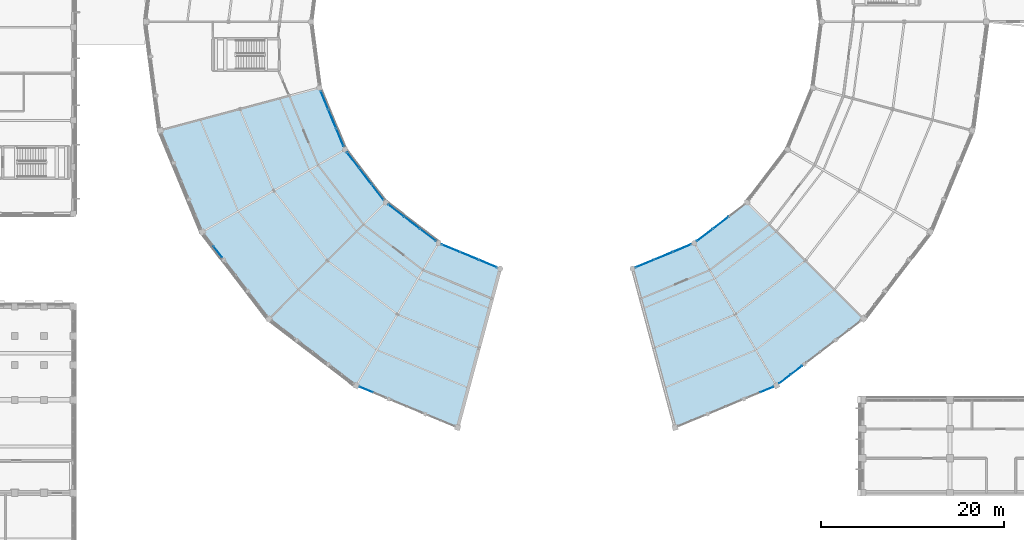
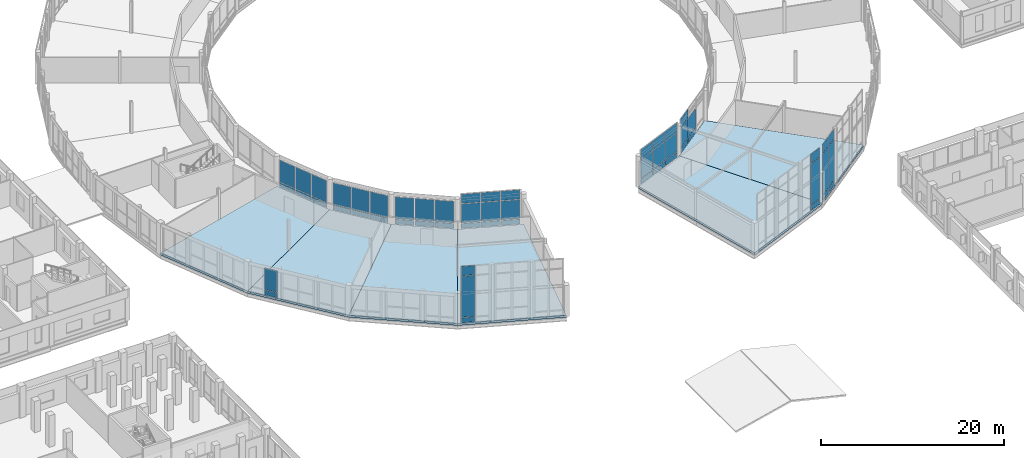
# One storey, part 126 of 170: 55 plates, 6 slabs, 10 elements without a shape of their own.
"""IFC4 building model written with IfcOpenShell, lengths in metres."""

from ifc_helpers import new_model, si_unit, direction, frame, origin, origin_2d, place, context, subcontext, project, spatial, polyline, rectangle, outline, extrude, material, layer, layer_set, type_object, element, aggregate, save


model = new_model("IFC4")

# Units and contexts
model_context = context("Model", 3, precision=1e-05, world=origin(), true_north=direction((0.0, 1.0)))
body_context = subcontext(model_context, "Body", "Model", "MODEL_VIEW")
ifc_project = project(units=[si_unit("LENGTHUNIT", "METRE"), si_unit("AREAUNIT", "SQUARE_METRE"), si_unit("VOLUMEUNIT", "CUBIC_METRE"), si_unit("PLANEANGLEUNIT", "RADIAN"), si_unit("MASSUNIT", "GRAM", prefix="KILO")], contexts=[model_context])

# Site, building, storey
site_placement = place(None, origin())
site = spatial("IfcSite", under=ifc_project, at=site_placement, CompositionType="ELEMENT")
building_placement = place(site_placement, origin())
building = spatial("IfcBuilding", under=site, at=building_placement, Name="Vondelvale Polytechnic", CompositionType="ELEMENT")
storey_placement = place(building_placement, frame((0.0, 0.0, 5.39990234375)))
storey = spatial("IfcBuildingStorey", under=building, at=storey_placement, Name="L01", CompositionType="ELEMENT", Elevation=5.39990234375)

# Curtain wall, plates
ifc_material_1 = material(Name="Anodised extruded aluminium 6063-T6", Category="aluminium")
curtain_wall_type_1 = type_object("IfcCurtainWallType", Name="CW-RING-CLOISTER", PredefinedType="NOTDEFINED", material=ifc_material_1)
curtain_wall_1_placement = place(storey_placement, origin())
curtain_wall_1 = element("IfcCurtainWall", 1, at=curtain_wall_1_placement, inside=storey, type_object=curtain_wall_type_1, Name="L01 architectural curtain wall CW-03-279", PredefinedType="NOTDEFINED")
ifc_material_2 = material(Name="Double-glazed low-E insulated architectural glass", Category="glass")
ifc_layer_1 = layer(ifc_material_2, 0.028076171875)
ifc_layer_set_1 = layer_set([ifc_layer_1], Name="CW-PANEL-GLAZED")
plate_type_1 = type_object("IfcPlateType", Name="CW-PANEL-GLAZED", PredefinedType="CURTAIN_PANEL", material=ifc_layer_set_1)
plate_1_placement = place(storey_placement, frame((75.51123046875, 63.408203125, 0.78271484375), z_axis=(0.0, 0.0, 1.0), x_axis=(0.382678531697, -0.923881562419, 0.0)))
plate_1 = element("IfcPlate", 2, at=plate_1_placement, type_object=plate_type_1, Name="CW-03-279 panel 1.2", PredefinedType="CURTAIN_PANEL", context=body_context, shape_type="SweptSolid", body=[
    extrude(rectangle(XDim=2.111572265625, YDim=0.028076171875, at=origin_2d()), origin(), (0.0, 0.0, 1.0), 2.902587890625),
])
plate_2_placement = place(storey_placement, frame((76.352783203125, 61.37646484375, 0.78271484375), z_axis=(0.0, 0.0, 1.0), x_axis=(0.382678531697, -0.923881562419, 0.0)))
plate_2 = element("IfcPlate", 3, at=plate_2_placement, type_object=plate_type_1, Name="CW-03-279 panel 2.2", PredefinedType="CURTAIN_PANEL", context=body_context, shape_type="SweptSolid", body=[
    extrude(rectangle(XDim=2.146484375, YDim=0.028076171875, at=origin_2d()), origin(), (0.0, 0.0, 1.0), 2.902587890625),
])
plate_3_placement = place(storey_placement, frame((77.194091796875, 59.344970703125, 0.78271484375), z_axis=(0.0, 0.0, 1.0), x_axis=(0.382678531697, -0.923881562419, 0.0)))
plate_3 = element("IfcPlate", 4, at=plate_3_placement, type_object=plate_type_1, Name="CW-03-279 panel 3.2", PredefinedType="CURTAIN_PANEL", context=body_context, shape_type="SweptSolid", body=[
    extrude(rectangle(XDim=2.111572265625, YDim=0.028076171875, at=origin_2d()), origin(), (0.0, 0.0, 1.0), 2.902587890625),
])

curtain_wall_2_placement = place(storey_placement, origin())
curtain_wall_2 = element("IfcCurtainWall", 5, at=curtain_wall_2_placement, inside=storey, type_object=curtain_wall_type_1, Name="L01 architectural curtain wall CW-03-298", PredefinedType="NOTDEFINED")
plate_4_placement = place(storey_placement, frame((78.636962890625, 56.845703125, 0.78271484375), z_axis=(0.0, 0.0, 1.0), x_axis=(0.608747717793, -0.793363861089, 0.0)))
plate_4 = element("IfcPlate", 6, at=plate_4_placement, type_object=plate_type_1, Name="CW-03-298 panel 1.2", PredefinedType="CURTAIN_PANEL", context=body_context, shape_type="SweptSolid", body=[
    extrude(rectangle(XDim=2.1123046875, YDim=0.028076171875, at=origin_2d()), origin(), (0.0, 0.0, 1.0), 2.902587890625),
])
plate_5_placement = place(storey_placement, frame((79.97607421875, 55.1005859375, 0.78271484375), z_axis=(0.0, 0.0, 1.0), x_axis=(0.608747717793, -0.793363861089, 0.0)))
plate_5 = element("IfcPlate", 7, at=plate_5_placement, type_object=plate_type_1, Name="CW-03-298 panel 2.2", PredefinedType="CURTAIN_PANEL", context=body_context, shape_type="SweptSolid", body=[
    extrude(rectangle(XDim=2.1474609375, YDim=0.028076171875, at=origin_2d()), origin(), (0.0, 0.0, 1.0), 2.902587890625),
])
plate_6_placement = place(storey_placement, frame((81.3154296875, 53.355224609375, 0.78271484375), z_axis=(0.0, 0.0, 1.0), x_axis=(0.608747717793, -0.793363861089, 0.0)))
plate_6 = element("IfcPlate", 8, at=plate_6_placement, type_object=plate_type_1, Name="CW-03-298 panel 3.2", PredefinedType="CURTAIN_PANEL", context=body_context, shape_type="SweptSolid", body=[
    extrude(rectangle(XDim=2.1123046875, YDim=0.028076171875, at=origin_2d()), origin(), (0.0, 0.0, 1.0), 2.902587890625),
])

# Curtain wall, plate
ifc_material_3 = material(Name="Glulam GL18 structural Tasmanian oak (fb = 42 MPa)", Category="wood")
curtain_wall_type_2 = type_object("IfcCurtainWallType", Name="CW-RING-OUTER", PredefinedType="NOTDEFINED", material=ifc_material_3)
curtain_wall_3_placement = place(storey_placement, origin())
curtain_wall_3 = element("IfcCurtainWall", 9, at=curtain_wall_3_placement, inside=storey, type_object=curtain_wall_type_2, Name="L01 architectural curtain wall CW-04-299", PredefinedType="NOTDEFINED")
plate_7_placement = place(storey_placement, frame((63.841552734375, 46.812255859375, 0.7802734375), z_axis=(0.0, 0.0, 1.0), x_axis=(0.608786860133, -0.793333825656, 0.0)))
plate_7 = element("IfcPlate", 10, at=plate_7_placement, type_object=plate_type_1, Name="CW-04-299 panel 2.2", PredefinedType="CURTAIN_PANEL", context=body_context, shape_type="SweptSolid", body=[
    extrude(rectangle(XDim=1.530029296875, YDim=0.028076171875, at=origin_2d()), origin(), (0.0, 0.0, 1.0), 2.8798828125),
])

# Curtain wall, plates
curtain_wall_4_placement = place(storey_placement, origin())
curtain_wall_4 = element("IfcCurtainWall", 11, at=curtain_wall_4_placement, inside=storey, type_object=curtain_wall_type_1, Name="L01 architectural curtain wall CW-03-317", PredefinedType="NOTDEFINED")
plate_8_placement = place(storey_placement, frame((83.355224609375, 51.3154296875, 0.78271484375), z_axis=(0.0, 0.0, 1.0), x_axis=(0.793363861089, -0.608747717793, 0.0)))
plate_8 = element("IfcPlate", 12, at=plate_8_placement, type_object=plate_type_1, Name="CW-03-317 panel 1.2", PredefinedType="CURTAIN_PANEL", context=body_context, shape_type="SweptSolid", body=[
    extrude(rectangle(XDim=2.1123046875, YDim=0.028076171875, at=origin_2d()), origin(), (0.0, 0.0, 1.0), 2.902587890625),
])
plate_9_placement = place(storey_placement, frame((85.1005859375, 49.97607421875, 0.78271484375), z_axis=(0.0, 0.0, 1.0), x_axis=(0.793363861089, -0.608747717793, 0.0)))
plate_9 = element("IfcPlate", 13, at=plate_9_placement, type_object=plate_type_1, Name="CW-03-317 panel 2.2", PredefinedType="CURTAIN_PANEL", context=body_context, shape_type="SweptSolid", body=[
    extrude(rectangle(XDim=2.1474609375, YDim=0.028076171875, at=origin_2d()), origin(), (0.0, 0.0, 1.0), 2.902587890625),
])
plate_10_placement = place(storey_placement, frame((86.845703125, 48.636962890625, 0.78271484375), z_axis=(0.0, 0.0, 1.0), x_axis=(0.793363861089, -0.608747717793, 0.0)))
plate_10 = element("IfcPlate", 14, at=plate_10_placement, type_object=plate_type_1, Name="CW-03-317 panel 3.2", PredefinedType="CURTAIN_PANEL", context=body_context, shape_type="SweptSolid", body=[
    extrude(rectangle(XDim=2.1123046875, YDim=0.028076171875, at=origin_2d()), origin(), (0.0, 0.0, 1.0), 2.902587890625),
])

curtain_wall_5_placement = place(storey_placement, origin())
curtain_wall_5 = element("IfcCurtainWall", 15, at=curtain_wall_5_placement, inside=storey, type_object=curtain_wall_type_1, Name="L01 architectural curtain wall CW-03-329", PredefinedType="NOTDEFINED")
plate_11_placement = place(storey_placement, frame((89.344970703125, 47.194091796875, 0.78271484375), z_axis=(0.0, 0.0, 1.0), x_axis=(0.923881562419, -0.382678531697, 0.0)))
plate_11 = element("IfcPlate", 16, at=plate_11_placement, type_object=plate_type_1, Name="CW-03-329 panel 1.2", PredefinedType="CURTAIN_PANEL", context=body_context, shape_type="SweptSolid", body=[
    extrude(rectangle(XDim=2.111572265625, YDim=0.028076171875, at=origin_2d()), origin(), (0.0, 0.0, 1.0), 2.548095703125),
])
plate_12_placement = place(storey_placement, frame((89.344970703125, 47.194091796875, 3.395751953125), z_axis=(0.0, 0.0, 1.0), x_axis=(0.923881562419, -0.382678531697, 0.0)))
plate_12 = element("IfcPlate", 17, at=plate_12_placement, type_object=plate_type_1, Name="CW-03-329 panel 1.3", PredefinedType="CURTAIN_PANEL", context=body_context, shape_type="SweptSolid", body=[
    extrude(rectangle(XDim=2.111572265625, YDim=0.028076171875, at=origin_2d()), origin(), (0.0, 0.0, 1.0), 1.25244140625),
])
plate_13_placement = place(storey_placement, frame((91.37646484375, 46.352783203125, 0.78271484375), z_axis=(0.0, 0.0, 1.0), x_axis=(0.923881562419, -0.382678531697, 0.0)))
plate_13 = element("IfcPlate", 18, at=plate_13_placement, type_object=plate_type_1, Name="CW-03-329 panel 2.2", PredefinedType="CURTAIN_PANEL", context=body_context, shape_type="SweptSolid", body=[
    extrude(rectangle(XDim=2.146484375, YDim=0.028076171875, at=origin_2d()), origin(), (0.0, 0.0, 1.0), 2.548095703125),
])
plate_14_placement = place(storey_placement, frame((91.37646484375, 46.352783203125, 3.395751953125), z_axis=(0.0, 0.0, 1.0), x_axis=(0.923881562419, -0.382678531697, 0.0)))
plate_14 = element("IfcPlate", 19, at=plate_14_placement, type_object=plate_type_1, Name="CW-03-329 panel 2.3", PredefinedType="CURTAIN_PANEL", context=body_context, shape_type="SweptSolid", body=[
    extrude(rectangle(XDim=2.146484375, YDim=0.028076171875, at=origin_2d()), origin(), (0.0, 0.0, 1.0), 1.25244140625),
])
plate_15_placement = place(storey_placement, frame((93.408203125, 45.51123046875, 0.78271484375), z_axis=(0.0, 0.0, 1.0), x_axis=(0.923881562419, -0.382678531697, 0.0)))
plate_15 = element("IfcPlate", 20, at=plate_15_placement, type_object=plate_type_1, Name="CW-03-329 panel 3.2", PredefinedType="CURTAIN_PANEL", context=body_context, shape_type="SweptSolid", body=[
    extrude(rectangle(XDim=2.111572265625, YDim=0.028076171875, at=origin_2d()), origin(), (0.0, 0.0, 1.0), 2.548095703125),
])
plate_16_placement = place(storey_placement, frame((93.408203125, 45.51123046875, 3.395751953125), z_axis=(0.0, 0.0, 1.0), x_axis=(0.923881562419, -0.382678531697, 0.0)))
plate_16 = element("IfcPlate", 21, at=plate_16_placement, type_object=plate_type_1, Name="CW-03-329 panel 3.3", PredefinedType="CURTAIN_PANEL", context=body_context, shape_type="SweptSolid", body=[
    extrude(rectangle(XDim=2.111572265625, YDim=0.028076171875, at=origin_2d()), origin(), (0.0, 0.0, 1.0), 1.25244140625),
])

curtain_wall_6_placement = place(storey_placement, origin())
curtain_wall_6 = element("IfcCurtainWall", 22, at=curtain_wall_6_placement, inside=storey, type_object=curtain_wall_type_2, Name="L01 architectural curtain wall CW-04-330", PredefinedType="NOTDEFINED")
plate_17_placement = place(storey_placement, frame((80.07421875, 31.7177734375, 0.780029296875), z_axis=(0.0, 0.0, 1.0), x_axis=(0.923882033442, -0.382677394529, 0.0)))
plate_17 = element("IfcPlate", 23, at=plate_17_placement, type_object=plate_type_1, Name="CW-04-330 panel 1.2", PredefinedType="CURTAIN_PANEL", context=body_context, shape_type="SweptSolid", body=[
    extrude(rectangle(XDim=1.530029296875, YDim=0.028076171875, at=origin_2d()), origin(), (0.0, 0.0, 1.0), 5.50146484375),
])
plate_18_placement = place(storey_placement, frame((80.07421875, 31.7177734375, 6.34130859375), z_axis=(0.0, 0.0, 1.0), x_axis=(0.923882033442, -0.382677394529, 0.0)))
plate_18 = element("IfcPlate", 24, at=plate_18_placement, type_object=plate_type_1, Name="CW-04-330 panel 1.3", PredefinedType="CURTAIN_PANEL", context=body_context, shape_type="SweptSolid", body=[
    extrude(rectangle(XDim=1.530029296875, YDim=0.028076171875, at=origin_2d()), origin(), (0.0, 0.0, 1.0), 1.260009765625),
])

curtain_wall_7_placement = place(storey_placement, origin())
curtain_wall_7 = element("IfcCurtainWall", 25, at=curtain_wall_7_placement, inside=storey, type_object=curtain_wall_type_1, Name="L01 architectural curtain wall CW-03-337", PredefinedType="NOTDEFINED")
plate_19_placement = place(storey_placement, frame((110.591796875, 45.51123046875, 0.78271484375), z_axis=(0.0, 0.0, 1.0), x_axis=(0.923881562419, 0.382678531697, 0.0)))
plate_19 = element("IfcPlate", 26, at=plate_19_placement, type_object=plate_type_1, Name="CW-03-337 panel 1.2", PredefinedType="CURTAIN_PANEL", context=body_context, shape_type="SweptSolid", body=[
    extrude(rectangle(XDim=2.111572265625, YDim=0.028076171875, at=origin_2d()), origin(), (0.0, 0.0, 1.0), 2.548095703125),
])
plate_20_placement = place(storey_placement, frame((110.591796875, 45.51123046875, 3.395751953125), z_axis=(0.0, 0.0, 1.0), x_axis=(0.923881562419, 0.382678531697, 0.0)))
plate_20 = element("IfcPlate", 27, at=plate_20_placement, type_object=plate_type_1, Name="CW-03-337 panel 1.3", PredefinedType="CURTAIN_PANEL", context=body_context, shape_type="SweptSolid", body=[
    extrude(rectangle(XDim=2.111572265625, YDim=0.028076171875, at=origin_2d()), origin(), (0.0, 0.0, 1.0), 1.25244140625),
])
plate_21_placement = place(storey_placement, frame((112.62353515625, 46.352783203125, 0.78271484375), z_axis=(0.0, 0.0, 1.0), x_axis=(0.923881562419, 0.382678531697, 0.0)))
plate_21 = element("IfcPlate", 28, at=plate_21_placement, type_object=plate_type_1, Name="CW-03-337 panel 2.2", PredefinedType="CURTAIN_PANEL", context=body_context, shape_type="SweptSolid", body=[
    extrude(rectangle(XDim=2.146484375, YDim=0.028076171875, at=origin_2d()), origin(), (0.0, 0.0, 1.0), 2.548095703125),
])
plate_22_placement = place(storey_placement, frame((112.62353515625, 46.352783203125, 3.395751953125), z_axis=(0.0, 0.0, 1.0), x_axis=(0.923881562419, 0.382678531697, 0.0)))
plate_22 = element("IfcPlate", 29, at=plate_22_placement, type_object=plate_type_1, Name="CW-03-337 panel 2.3", PredefinedType="CURTAIN_PANEL", context=body_context, shape_type="SweptSolid", body=[
    extrude(rectangle(XDim=2.146484375, YDim=0.028076171875, at=origin_2d()), origin(), (0.0, 0.0, 1.0), 1.25244140625),
])
plate_23_placement = place(storey_placement, frame((114.655029296875, 47.194091796875, 0.78271484375), z_axis=(0.0, 0.0, 1.0), x_axis=(0.923881562419, 0.382678531697, 0.0)))
plate_23 = element("IfcPlate", 30, at=plate_23_placement, type_object=plate_type_1, Name="CW-03-337 panel 3.2", PredefinedType="CURTAIN_PANEL", context=body_context, shape_type="SweptSolid", body=[
    extrude(rectangle(XDim=2.111572265625, YDim=0.028076171875, at=origin_2d()), origin(), (0.0, 0.0, 1.0), 2.548095703125),
])
plate_24_placement = place(storey_placement, frame((114.655029296875, 47.194091796875, 3.395751953125), z_axis=(0.0, 0.0, 1.0), x_axis=(0.923881562419, 0.382678531697, 0.0)))
plate_24 = element("IfcPlate", 31, at=plate_24_placement, type_object=plate_type_1, Name="CW-03-337 panel 3.3", PredefinedType="CURTAIN_PANEL", context=body_context, shape_type="SweptSolid", body=[
    extrude(rectangle(XDim=2.111572265625, YDim=0.028076171875, at=origin_2d()), origin(), (0.0, 0.0, 1.0), 1.25244140625),
])

curtain_wall_8_placement = place(storey_placement, origin())
curtain_wall_8 = element("IfcCurtainWall", 32, at=curtain_wall_8_placement, inside=storey, type_object=curtain_wall_type_2, Name="L01 architectural curtain wall CW-04-340", PredefinedType="NOTDEFINED")
plate_25_placement = place(storey_placement, frame((123.92578125, 31.7177734375, 0.780029296875), z_axis=(0.0, 0.0, 1.0), x_axis=(0.923882033442, 0.382677394529, 0.0)))
plate_25 = element("IfcPlate", 33, at=plate_25_placement, type_object=plate_type_1, Name="CW-04-340 panel 2.2", PredefinedType="CURTAIN_PANEL", context=body_context, shape_type="SweptSolid", body=[
    extrude(rectangle(XDim=1.530029296875, YDim=0.028076171875, at=origin_2d()), origin(), (0.0, 0.0, 1.0), 5.50146484375),
])
plate_26_placement = place(storey_placement, frame((123.92578125, 31.7177734375, 6.34130859375), z_axis=(0.0, 0.0, 1.0), x_axis=(0.923882033442, 0.382677394529, 0.0)))
plate_26 = element("IfcPlate", 34, at=plate_26_placement, type_object=plate_type_1, Name="CW-04-340 panel 2.3", PredefinedType="CURTAIN_PANEL", context=body_context, shape_type="SweptSolid", body=[
    extrude(rectangle(XDim=1.530029296875, YDim=0.028076171875, at=origin_2d()), origin(), (0.0, 0.0, 1.0), 1.260009765625),
])

curtain_wall_9_placement = place(storey_placement, origin())
curtain_wall_9 = element("IfcCurtainWall", 35, at=curtain_wall_9_placement, inside=storey, type_object=curtain_wall_type_1, Name="L01 architectural curtain wall CW-03-344", PredefinedType="NOTDEFINED")
plate_27_placement = place(storey_placement, frame((117.154296875, 48.636962890625, 0.78271484375), z_axis=(0.0, 0.0, 1.0), x_axis=(0.793363861089, 0.608747717793, 0.0)))
plate_27 = element("IfcPlate", 36, at=plate_27_placement, type_object=plate_type_1, Name="CW-03-344 panel 1.2", PredefinedType="CURTAIN_PANEL", context=body_context, shape_type="SweptSolid", body=[
    extrude(rectangle(XDim=2.1123046875, YDim=0.028076171875, at=origin_2d()), origin(), (0.0, 0.0, 1.0), 2.548095703125),
])
plate_28_placement = place(storey_placement, frame((117.154296875, 48.636962890625, 3.395751953125), z_axis=(0.0, 0.0, 1.0), x_axis=(0.793363861089, 0.608747717793, 0.0)))
plate_28 = element("IfcPlate", 37, at=plate_28_placement, type_object=plate_type_1, Name="CW-03-344 panel 1.3", PredefinedType="CURTAIN_PANEL", context=body_context, shape_type="SweptSolid", body=[
    extrude(rectangle(XDim=2.1123046875, YDim=0.028076171875, at=origin_2d()), origin(), (0.0, 0.0, 1.0), 1.25244140625),
])
plate_29_placement = place(storey_placement, frame((118.8994140625, 49.97607421875, 0.78271484375), z_axis=(0.0, 0.0, 1.0), x_axis=(0.793363861089, 0.608747717793, 0.0)))
plate_29 = element("IfcPlate", 38, at=plate_29_placement, type_object=plate_type_1, Name="CW-03-344 panel 2.2", PredefinedType="CURTAIN_PANEL", context=body_context, shape_type="SweptSolid", body=[
    extrude(rectangle(XDim=2.1474609375, YDim=0.028076171875, at=origin_2d()), origin(), (0.0, 0.0, 1.0), 2.548095703125),
])

curtain_wall_10_placement = place(storey_placement, origin())
curtain_wall_10 = element("IfcCurtainWall", 39, at=curtain_wall_10_placement, inside=storey, type_object=curtain_wall_type_2, Name="L01 architectural curtain wall CW-04-345", PredefinedType="NOTDEFINED")
plate_30_placement = place(storey_placement, frame((125.92236328125, 32.87060546875, 0.780029296875), z_axis=(0.0, 0.0, 1.0), x_axis=(0.793333825656, 0.608786860133, 0.0)))
plate_30 = element("IfcPlate", 40, at=plate_30_placement, type_object=plate_type_1, Name="CW-04-345 panel 1.2", PredefinedType="CURTAIN_PANEL", context=body_context, shape_type="SweptSolid", body=[
    extrude(rectangle(XDim=1.530029296875, YDim=0.028076171875, at=origin_2d()), origin(), (0.0, 0.0, 1.0), 5.50146484375),
])
plate_31_placement = place(storey_placement, frame((125.92236328125, 32.87060546875, 6.34130859375), z_axis=(0.0, 0.0, 1.0), x_axis=(0.793333825656, 0.608786860133, 0.0)))
plate_31 = element("IfcPlate", 41, at=plate_31_placement, type_object=plate_type_1, Name="CW-04-345 panel 1.3", PredefinedType="CURTAIN_PANEL", context=body_context, shape_type="SweptSolid", body=[
    extrude(rectangle(XDim=1.530029296875, YDim=0.028076171875, at=origin_2d()), origin(), (0.0, 0.0, 1.0), 1.260009765625),
])
plate_32_placement = place(storey_placement, frame((127.187744140625, 33.841552734375, 0.780029296875), z_axis=(0.0, 0.0, 1.0), x_axis=(0.793333825656, 0.608786860133, 0.0)))
plate_32 = element("IfcPlate", 42, at=plate_32_placement, type_object=plate_type_1, Name="CW-04-345 panel 2.2", PredefinedType="CURTAIN_PANEL", context=body_context, shape_type="SweptSolid", body=[
    extrude(rectangle(XDim=1.530029296875, YDim=0.028076171875, at=origin_2d()), origin(), (0.0, 0.0, 1.0), 5.50146484375),
])
plate_33_placement = place(storey_placement, frame((127.187744140625, 33.841552734375, 6.34130859375), z_axis=(0.0, 0.0, 1.0), x_axis=(0.793333825656, 0.608786860133, 0.0)))
plate_33 = element("IfcPlate", 43, at=plate_33_placement, type_object=plate_type_1, Name="CW-04-345 panel 2.3", PredefinedType="CURTAIN_PANEL", context=body_context, shape_type="SweptSolid", body=[
    extrude(rectangle(XDim=1.530029296875, YDim=0.028076171875, at=origin_2d()), origin(), (0.0, 0.0, 1.0), 1.260009765625),
])

# Plate
ifc_material_4 = material(Name="Engineered Tasmanian oak studio and bridge joinery")
ifc_layer_2 = layer(ifc_material_4, 0.0419921875)
ifc_layer_set_2 = layer_set([ifc_layer_2], Name="CW-PANEL-OAK")
plate_type_2 = type_object("IfcPlateType", Name="CW-PANEL-OAK", PredefinedType="CURTAIN_PANEL", material=ifc_layer_set_2)
plate_34_placement = place(storey_placement, frame((75.51123046875, 63.408203125, 0.06494140625), z_axis=(0.0, 0.0, 1.0), x_axis=(0.382678531697, -0.923881562419, 0.0)))
plate_34 = element("IfcPlate", 44, at=plate_34_placement, type_object=plate_type_2, Name="CW-03-279 panel 1.1", PredefinedType="CURTAIN_PANEL", context=body_context, shape_type="SweptSolid", body=[
    extrude(rectangle(XDim=2.111572265625, YDim=0.0419921875, at=origin_2d()), origin(), (0.0, 0.0, 1.0), 0.652587890625),
])

plate_35_placement = place(storey_placement, frame((76.352783203125, 61.37646484375, 0.06494140625), z_axis=(0.0, 0.0, 1.0), x_axis=(0.382678531697, -0.923881562419, 0.0)))
plate_35 = element("IfcPlate", 45, at=plate_35_placement, type_object=plate_type_2, Name="CW-03-279 panel 2.1", PredefinedType="CURTAIN_PANEL", context=body_context, shape_type="SweptSolid", body=[
    extrude(rectangle(XDim=2.146484375, YDim=0.0419921875, at=origin_2d()), origin(), (0.0, 0.0, 1.0), 0.652587890625),
])

plate_36_placement = place(storey_placement, frame((77.194091796875, 59.344970703125, 0.06494140625), z_axis=(0.0, 0.0, 1.0), x_axis=(0.382678531697, -0.923881562419, 0.0)))
plate_36 = element("IfcPlate", 46, at=plate_36_placement, type_object=plate_type_2, Name="CW-03-279 panel 3.1", PredefinedType="CURTAIN_PANEL", context=body_context, shape_type="SweptSolid", body=[
    extrude(rectangle(XDim=2.111572265625, YDim=0.0419921875, at=origin_2d()), origin(), (0.0, 0.0, 1.0), 0.652587890625),
])

aggregate(curtain_wall_1, [plate_34, plate_1, plate_35, plate_2, plate_36, plate_3])

plate_37_placement = place(storey_placement, frame((78.636962890625, 56.845703125, 0.06494140625), z_axis=(0.0, 0.0, 1.0), x_axis=(0.608747717793, -0.793363861089, 0.0)))
plate_37 = element("IfcPlate", 47, at=plate_37_placement, type_object=plate_type_2, Name="CW-03-298 panel 1.1", PredefinedType="CURTAIN_PANEL", context=body_context, shape_type="SweptSolid", body=[
    extrude(rectangle(XDim=2.1123046875, YDim=0.0419921875, at=origin_2d()), origin(), (0.0, 0.0, 1.0), 0.652587890625),
])

plate_38_placement = place(storey_placement, frame((79.97607421875, 55.1005859375, 0.06494140625), z_axis=(0.0, 0.0, 1.0), x_axis=(0.608747717793, -0.793363861089, 0.0)))
plate_38 = element("IfcPlate", 48, at=plate_38_placement, type_object=plate_type_2, Name="CW-03-298 panel 2.1", PredefinedType="CURTAIN_PANEL", context=body_context, shape_type="SweptSolid", body=[
    extrude(rectangle(XDim=2.1474609375, YDim=0.0419921875, at=origin_2d()), origin(), (0.0, 0.0, 1.0), 0.652587890625),
])

plate_39_placement = place(storey_placement, frame((81.3154296875, 53.355224609375, 0.06494140625), z_axis=(0.0, 0.0, 1.0), x_axis=(0.608747717793, -0.793363861089, 0.0)))
plate_39 = element("IfcPlate", 49, at=plate_39_placement, type_object=plate_type_2, Name="CW-03-298 panel 3.1", PredefinedType="CURTAIN_PANEL", context=body_context, shape_type="SweptSolid", body=[
    extrude(rectangle(XDim=2.1123046875, YDim=0.0419921875, at=origin_2d()), origin(), (0.0, 0.0, 1.0), 0.652587890625),
])

aggregate(curtain_wall_2, [plate_37, plate_4, plate_38, plate_5, plate_39, plate_6])

plate_40_placement = place(storey_placement, frame((83.355224609375, 51.3154296875, 0.06494140625), z_axis=(0.0, 0.0, 1.0), x_axis=(0.793363861089, -0.608747717793, 0.0)))
plate_40 = element("IfcPlate", 50, at=plate_40_placement, type_object=plate_type_2, Name="CW-03-317 panel 1.1", PredefinedType="CURTAIN_PANEL", context=body_context, shape_type="SweptSolid", body=[
    extrude(rectangle(XDim=2.1123046875, YDim=0.0419921875, at=origin_2d()), origin(), (0.0, 0.0, 1.0), 0.652587890625),
])

plate_41_placement = place(storey_placement, frame((85.1005859375, 49.97607421875, 0.06494140625), z_axis=(0.0, 0.0, 1.0), x_axis=(0.793363861089, -0.608747717793, 0.0)))
plate_41 = element("IfcPlate", 51, at=plate_41_placement, type_object=plate_type_2, Name="CW-03-317 panel 2.1", PredefinedType="CURTAIN_PANEL", context=body_context, shape_type="SweptSolid", body=[
    extrude(rectangle(XDim=2.1474609375, YDim=0.0419921875, at=origin_2d()), origin(), (0.0, 0.0, 1.0), 0.652587890625),
])

plate_42_placement = place(storey_placement, frame((86.845703125, 48.636962890625, 0.06494140625), z_axis=(0.0, 0.0, 1.0), x_axis=(0.793363861089, -0.608747717793, 0.0)))
plate_42 = element("IfcPlate", 52, at=plate_42_placement, type_object=plate_type_2, Name="CW-03-317 panel 3.1", PredefinedType="CURTAIN_PANEL", context=body_context, shape_type="SweptSolid", body=[
    extrude(rectangle(XDim=2.1123046875, YDim=0.0419921875, at=origin_2d()), origin(), (0.0, 0.0, 1.0), 0.652587890625),
])

aggregate(curtain_wall_4, [plate_40, plate_8, plate_41, plate_9, plate_42, plate_10])

plate_43_placement = place(storey_placement, frame((89.344970703125, 47.194091796875, 0.06494140625), z_axis=(0.0, 0.0, 1.0), x_axis=(0.923881562419, -0.382678531697, 0.0)))
plate_43 = element("IfcPlate", 53, at=plate_43_placement, type_object=plate_type_2, Name="CW-03-329 panel 1.1", PredefinedType="CURTAIN_PANEL", context=body_context, shape_type="SweptSolid", body=[
    extrude(rectangle(XDim=2.111572265625, YDim=0.0419921875, at=origin_2d()), origin(), (0.0, 0.0, 1.0), 0.652587890625),
])

plate_44_placement = place(storey_placement, frame((91.37646484375, 46.352783203125, 0.06494140625), z_axis=(0.0, 0.0, 1.0), x_axis=(0.923881562419, -0.382678531697, 0.0)))
plate_44 = element("IfcPlate", 54, at=plate_44_placement, type_object=plate_type_2, Name="CW-03-329 panel 2.1", PredefinedType="CURTAIN_PANEL", context=body_context, shape_type="SweptSolid", body=[
    extrude(rectangle(XDim=2.146484375, YDim=0.0419921875, at=origin_2d()), origin(), (0.0, 0.0, 1.0), 0.652587890625),
])

plate_45_placement = place(storey_placement, frame((93.408203125, 45.51123046875, 0.06494140625), z_axis=(0.0, 0.0, 1.0), x_axis=(0.923881562419, -0.382678531697, 0.0)))
plate_45 = element("IfcPlate", 55, at=plate_45_placement, type_object=plate_type_2, Name="CW-03-329 panel 3.1", PredefinedType="CURTAIN_PANEL", context=body_context, shape_type="SweptSolid", body=[
    extrude(rectangle(XDim=2.111572265625, YDim=0.0419921875, at=origin_2d()), origin(), (0.0, 0.0, 1.0), 0.652587890625),
])

aggregate(curtain_wall_5, [plate_43, plate_11, plate_12, plate_44, plate_13, plate_14, plate_45, plate_15, plate_16])

plate_46_placement = place(storey_placement, frame((110.591796875, 45.51123046875, 0.06494140625), z_axis=(0.0, 0.0, 1.0), x_axis=(0.923881562419, 0.382678531697, 0.0)))
plate_46 = element("IfcPlate", 56, at=plate_46_placement, type_object=plate_type_2, Name="CW-03-337 panel 1.1", PredefinedType="CURTAIN_PANEL", context=body_context, shape_type="SweptSolid", body=[
    extrude(rectangle(XDim=2.111572265625, YDim=0.0419921875, at=origin_2d()), origin(), (0.0, 0.0, 1.0), 0.652587890625),
])

plate_47_placement = place(storey_placement, frame((112.62353515625, 46.352783203125, 0.06494140625), z_axis=(0.0, 0.0, 1.0), x_axis=(0.923881562419, 0.382678531697, 0.0)))
plate_47 = element("IfcPlate", 57, at=plate_47_placement, type_object=plate_type_2, Name="CW-03-337 panel 2.1", PredefinedType="CURTAIN_PANEL", context=body_context, shape_type="SweptSolid", body=[
    extrude(rectangle(XDim=2.146484375, YDim=0.0419921875, at=origin_2d()), origin(), (0.0, 0.0, 1.0), 0.652587890625),
])

plate_48_placement = place(storey_placement, frame((114.655029296875, 47.194091796875, 0.06494140625), z_axis=(0.0, 0.0, 1.0), x_axis=(0.923881562419, 0.382678531697, 0.0)))
plate_48 = element("IfcPlate", 58, at=plate_48_placement, type_object=plate_type_2, Name="CW-03-337 panel 3.1", PredefinedType="CURTAIN_PANEL", context=body_context, shape_type="SweptSolid", body=[
    extrude(rectangle(XDim=2.111572265625, YDim=0.0419921875, at=origin_2d()), origin(), (0.0, 0.0, 1.0), 0.652587890625),
])

aggregate(curtain_wall_7, [plate_46, plate_19, plate_20, plate_47, plate_21, plate_22, plate_48, plate_23, plate_24])

plate_49_placement = place(storey_placement, frame((117.154296875, 48.636962890625, 0.06494140625), z_axis=(0.0, 0.0, 1.0), x_axis=(0.793363861089, 0.608747717793, 0.0)))
plate_49 = element("IfcPlate", 59, at=plate_49_placement, type_object=plate_type_2, Name="CW-03-344 panel 1.1", PredefinedType="CURTAIN_PANEL", context=body_context, shape_type="SweptSolid", body=[
    extrude(rectangle(XDim=2.1123046875, YDim=0.0419921875, at=origin_2d()), origin(), (0.0, 0.0, 1.0), 0.652587890625),
])

plate_50_placement = place(storey_placement, frame((118.8994140625, 49.97607421875, 0.06494140625), z_axis=(0.0, 0.0, 1.0), x_axis=(0.793363861089, 0.608747717793, 0.0)))
plate_50 = element("IfcPlate", 60, at=plate_50_placement, type_object=plate_type_2, Name="CW-03-344 panel 2.1", PredefinedType="CURTAIN_PANEL", context=body_context, shape_type="SweptSolid", body=[
    extrude(rectangle(XDim=2.1474609375, YDim=0.0419921875, at=origin_2d()), origin(), (0.0, 0.0, 1.0), 0.652587890625),
])

aggregate(curtain_wall_9, [plate_49, plate_27, plate_28, plate_50, plate_29])

ifc_material_5 = material(Name="Kiln-fired architectural terracotta", Category="masonry")
ifc_layer_3 = layer(ifc_material_5, 0.035888671875)
ifc_layer_set_3 = layer_set([ifc_layer_3], Name="CW-PANEL-SPANDREL")
plate_type_3 = type_object("IfcPlateType", Name="CW-PANEL-SPANDREL", PredefinedType="CURTAIN_PANEL", material=ifc_layer_set_3)
plate_51_placement = place(storey_placement, frame((63.841552734375, 46.812255859375, 0.06005859375), z_axis=(0.0, 0.0, 1.0), x_axis=(0.608786860133, -0.793333825656, 0.0)))
plate_51 = element("IfcPlate", 61, at=plate_51_placement, type_object=plate_type_3, Name="CW-04-299 panel 2.1", PredefinedType="CURTAIN_PANEL", context=body_context, shape_type="SweptSolid", body=[
    extrude(rectangle(XDim=1.530029296875, YDim=0.035888671875, at=origin_2d()), origin(), (0.0, 0.0, 1.0), 0.659912109375),
])

aggregate(curtain_wall_3, [plate_51, plate_7])

plate_52_placement = place(storey_placement, frame((80.07421875, 31.7177734375, 0.06005859375), z_axis=(0.0, 0.0, 1.0), x_axis=(0.923882033442, -0.382677394529, 0.0)))
plate_52 = element("IfcPlate", 62, at=plate_52_placement, type_object=plate_type_3, Name="CW-04-330 panel 1.1", PredefinedType="CURTAIN_PANEL", context=body_context, shape_type="SweptSolid", body=[
    extrude(rectangle(XDim=1.530029296875, YDim=0.035888671875, at=origin_2d()), origin(), (0.0, 0.0, 1.0), 0.659912109375),
])

aggregate(curtain_wall_6, [plate_52, plate_17, plate_18])

plate_53_placement = place(storey_placement, frame((123.92578125, 31.7177734375, 0.06005859375), z_axis=(0.0, 0.0, 1.0), x_axis=(0.923882033442, 0.382677394529, 0.0)))
plate_53 = element("IfcPlate", 63, at=plate_53_placement, type_object=plate_type_3, Name="CW-04-340 panel 2.1", PredefinedType="CURTAIN_PANEL", context=body_context, shape_type="SweptSolid", body=[
    extrude(rectangle(XDim=1.530029296875, YDim=0.035888671875, at=origin_2d()), origin(), (0.0, 0.0, 1.0), 0.659912109375),
])

aggregate(curtain_wall_8, [plate_53, plate_25, plate_26])

plate_54_placement = place(storey_placement, frame((125.92236328125, 32.87060546875, 0.06005859375), z_axis=(0.0, 0.0, 1.0), x_axis=(0.793333825656, 0.608786860133, 0.0)))
plate_54 = element("IfcPlate", 64, at=plate_54_placement, type_object=plate_type_3, Name="CW-04-345 panel 1.1", PredefinedType="CURTAIN_PANEL", context=body_context, shape_type="SweptSolid", body=[
    extrude(rectangle(XDim=1.530029296875, YDim=0.035888671875, at=origin_2d()), origin(), (0.0, 0.0, 1.0), 0.659912109375),
])

plate_55_placement = place(storey_placement, frame((127.187744140625, 33.841552734375, 0.06005859375), z_axis=(0.0, 0.0, 1.0), x_axis=(0.793333825656, 0.608786860133, 0.0)))
plate_55 = element("IfcPlate", 65, at=plate_55_placement, type_object=plate_type_3, Name="CW-04-345 panel 2.1", PredefinedType="CURTAIN_PANEL", context=body_context, shape_type="SweptSolid", body=[
    extrude(rectangle(XDim=1.530029296875, YDim=0.035888671875, at=origin_2d()), origin(), (0.0, 0.0, 1.0), 0.659912109375),
])

aggregate(curtain_wall_10, [plate_54, plate_30, plate_31, plate_55, plate_32, plate_33])

# Slabs
ifc_material_6 = material(Name="Concrete N40 (f'c = 40 MPa)", Category="concrete")
ifc_layer_4 = layer(ifc_material_6, 0.280029296875)
ifc_layer_set_4 = layer_set([ifc_layer_4], Name="SLB-LIBRARY-280")
slab_type = type_object("IfcSlabType", Name="SLB-LIBRARY-280", PredefinedType="FLOOR", material=ifc_layer_set_4)
slab_1_placement = place(storey_placement, frame((0.0, 0.0, -0.27978515625)))
element("IfcSlab", 66, at=slab_1_placement, inside=storey, type_object=slab_type, Name="L01 circular ring sector 13 floor slab", PredefinedType="FLOOR", context=body_context, shape_type="SweptSolid", body=[
    extrude(outline(polyline([(74.9541015625, 64.753173828125), (57.5673828125, 60.09423828125), (62.162841796875, 49.0), (77.751220703125, 58.0), (74.9541015625, 64.753173828125)])), origin(), (0.0, 0.0, 1.0), 0.27978515625),
])
slab_2_placement = place(storey_placement, frame((0.0, 0.0, -0.27978515625)))
element("IfcSlab", 67, at=slab_2_placement, inside=storey, type_object=slab_type, Name="L01 circular ring sector 14 floor slab", PredefinedType="FLOOR", context=body_context, shape_type="SweptSolid", body=[
    extrude(outline(polyline([(77.751220703125, 58.0), (62.162841796875, 49.0), (69.47314453125, 39.47314453125), (82.200927734375, 52.200927734375), (77.751220703125, 58.0)])), origin(), (0.0, 0.0, 1.0), 0.27978515625),
])
slab_3_placement = place(storey_placement, frame((0.0, 0.0, -0.27978515625)))
element("IfcSlab", 68, at=slab_3_placement, inside=storey, type_object=slab_type, Name="L01 circular ring sector 15 floor slab", PredefinedType="FLOOR", context=body_context, shape_type="SweptSolid", body=[
    extrude(outline(polyline([(82.200927734375, 52.200927734375), (69.47314453125, 39.47314453125), (79.0, 32.162841796875), (88.0, 47.751220703125), (82.200927734375, 52.200927734375)])), origin(), (0.0, 0.0, 1.0), 0.27978515625),
])
slab_4_placement = place(storey_placement, frame((0.0, 0.0, -0.27978515625)))
element("IfcSlab", 69, at=slab_4_placement, inside=storey, type_object=slab_type, Name="L01 circular ring sector 16 floor slab", PredefinedType="FLOOR", context=body_context, shape_type="SweptSolid", body=[
    extrude(outline(polyline([(88.0, 47.751220703125), (79.0, 32.162841796875), (90.09423828125, 27.5673828125), (94.753173828125, 44.9541015625), (88.0, 47.751220703125)])), origin(), (0.0, 0.0, 1.0), 0.27978515625),
])
slab_5_placement = place(storey_placement, frame((0.0, 0.0, -0.27978515625)))
element("IfcSlab", 70, at=slab_5_placement, inside=storey, type_object=slab_type, Name="L01 circular ring sector 19 floor slab", PredefinedType="FLOOR", context=body_context, shape_type="SweptSolid", body=[
    extrude(outline(polyline([(109.246826171875, 44.9541015625), (113.90576171875, 27.5673828125), (125.0, 32.162841796875), (116.0, 47.751220703125), (109.246826171875, 44.9541015625)])), origin(), (0.0, 0.0, 1.0), 0.27978515625),
])
slab_6_placement = place(storey_placement, frame((0.0, 0.0, -0.27978515625)))
element("IfcSlab", 71, at=slab_6_placement, inside=storey, type_object=slab_type, Name="L01 circular ring sector 20 floor slab", PredefinedType="FLOOR", context=body_context, shape_type="SweptSolid", body=[
    extrude(outline(polyline([(116.0, 47.751220703125), (125.0, 32.162841796875), (134.52685546875, 39.47314453125), (121.799072265625, 52.200927734375), (116.0, 47.751220703125)])), origin(), (0.0, 0.0, 1.0), 0.27978515625),
])

save(model, "model.ifc")
